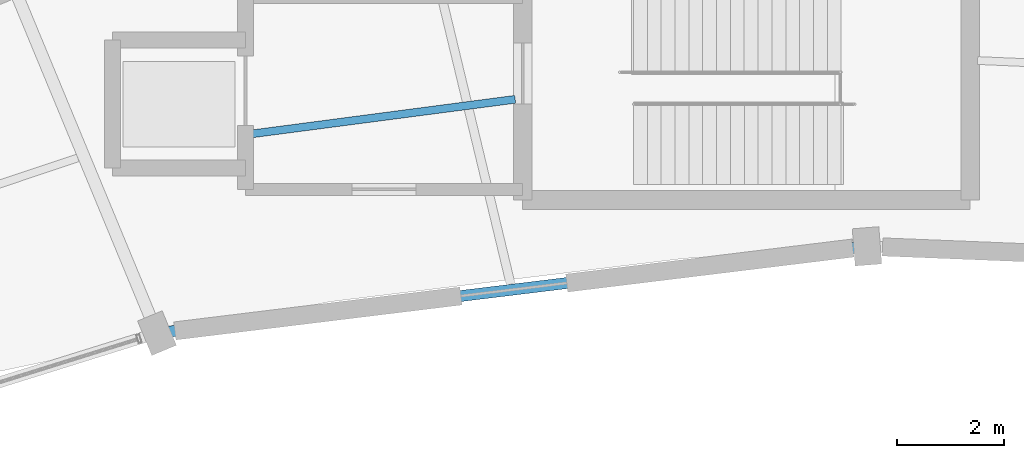
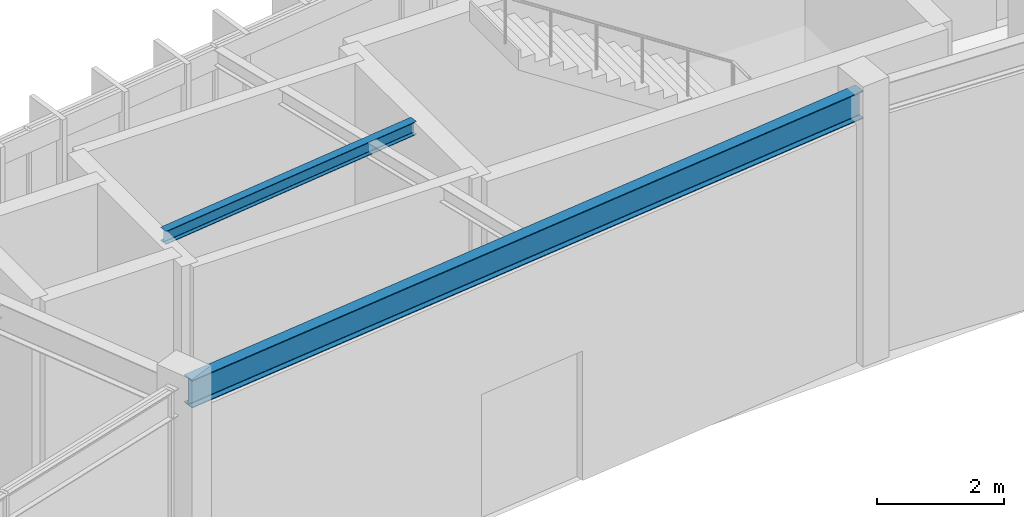
# One storey, part 70 of 157: 2 beams.
"""IFC4 building model written with IfcOpenShell, lengths in metres."""

import ifcopenshell
import ifcopenshell.guid

model = None  # the IFC model being written
_history = None  # IfcOwnerHistory: only IFC2X3 demands one
_inside = {}  # id of a spatial element -> (the spatial element, [elements in it])
_under = {}  # id of a project, library or spatial element -> (it, [spatial elements below it])
_declared = {}  # id of a project -> (the project, [libraries it declares])
_typed = {}  # id of a type object -> (the type object, [elements of that type])
_made_of = {}  # id of a material, layer set ... -> (it, [elements and type objects made of it])


def new_model(schema):
    """Start an empty IFC model of exactly this schema.

    Asked for "IFC4X3", IfcOpenShell would pick the latest addendum, in which some entities
    have other attributes; the version numbers below select the first issue.
    IFC2X3 requires an IfcOwnerHistory on every rooted entity: one is made here for all.
    """
    global model, _history
    if schema == "IFC4X3":
        model = ifcopenshell.file(schema_version=(4, 3, 0, 0))
    else:
        model = ifcopenshell.file(schema=schema)
    _inside.clear()
    _under.clear()
    _declared.clear()
    _typed.clear()
    _made_of.clear()
    _history = None
    if model.schema == "IFC2X3":
        org = make("IfcOrganization", Name="unknown")
        user = make(
            "IfcPersonAndOrganization",
            ThePerson=make("IfcPerson", FamilyName="unknown"),
            TheOrganization=org,
        )
        app = make(
            "IfcApplication",
            ApplicationDeveloper=org,
            Version="unknown",
            ApplicationFullName="unknown",
            ApplicationIdentifier="unknown",
        )
        _history = make(
            "IfcOwnerHistory",
            OwningUser=user,
            OwningApplication=app,
            ChangeAction="ADDED",
            CreationDate=0,
        )
    return model


def make(cls, **values):
    """One entity of the class cls with the attributes given. An attribute that is None is left unset."""
    return model.create_entity(
        cls, **{name: value for name, value in values.items() if value is not None}
    )


def rooted(cls, **values):
    """An entity with a GlobalId (a new one), such as an element, a storey or a relation."""
    return make(cls, GlobalId=ifcopenshell.guid.new(), OwnerHistory=_history, **values)


def si_unit(unit_type, name, prefix=None):
    """IfcSIUnit, for example si_unit("LENGTHUNIT", "METRE", prefix="MILLI")."""
    return make("IfcSIUnit", UnitType=unit_type, Prefix=prefix, Name=name)


def assignment(units):
    """IfcUnitAssignment: the units of a project."""
    return None if units is None else make("IfcUnitAssignment", Units=units)


def point(xyz):
    """IfcCartesianPoint."""
    return None if xyz is None else make("IfcCartesianPoint", Coordinates=xyz)


def direction(xyz):
    """IfcDirection."""
    return None if xyz is None else make("IfcDirection", DirectionRatios=xyz)


def frame(location, z_axis=None, x_axis=None):
    """IfcAxis2Placement3D, a coordinate frame: its origin and axes. An axis left out is left unset."""
    return make(
        "IfcAxis2Placement3D",
        Location=point(location),
        Axis=direction(z_axis),
        RefDirection=direction(x_axis),
    )


def frame_2d(location, x_axis=None):
    """IfcAxis2Placement2D, a coordinate frame in the plane: its origin and x axis."""
    return make(
        "IfcAxis2Placement2D", Location=point(location), RefDirection=direction(x_axis)
    )


def origin():
    """The frame at (0, 0, 0) with its axes left unset."""
    return frame((0.0, 0.0, 0.0))


def origin_2d():
    """The frame at (0, 0) in the plane with its x axis left unset."""
    return frame_2d((0.0, 0.0))


def place(relative_to, where):
    """IfcLocalPlacement: puts the frame where relative to a parent placement (None: the world)."""
    return make(
        "IfcLocalPlacement", PlacementRelTo=relative_to, RelativePlacement=where
    )


def context(
    kind, dimensions, precision=None, world=None, true_north=None, identifier=None
):
    """IfcGeometricRepresentationContext, for example the 3D "Model" context."""
    return make(
        "IfcGeometricRepresentationContext",
        ContextIdentifier=identifier,
        ContextType=kind,
        CoordinateSpaceDimension=dimensions,
        Precision=precision,
        WorldCoordinateSystem=world,
        TrueNorth=true_north,
    )


def subcontext(parent, identifier, kind, view, scale=None):
    """IfcGeometricRepresentationSubContext, for example "Body" below "Model"."""
    return make(
        "IfcGeometricRepresentationSubContext",
        ContextIdentifier=identifier,
        ContextType=kind,
        ParentContext=parent,
        TargetScale=scale,
        TargetView=view,
    )


def project(units=None, contexts=None):
    """IfcProject with its units and contexts."""
    return rooted(
        "IfcProject",
        Name="project",
        RepresentationContexts=contexts,
        UnitsInContext=assignment(units),
    )


def spatial(cls, under=None, at=None, **own):
    """A site, building, storey or space (cls), placed at a placement, below another one or the project."""
    s = rooted(cls, ObjectPlacement=at, **own)
    if under is not None:
        _under.setdefault(under.id(), (under, []))[1].append(s)
    return s


def profile(cls, at=None, kind="AREA", **sizes):
    """A parametric profile (cls). Its sizes go by their IFC names, for example OverallWidth=200.0."""
    return make(cls, ProfileType=kind, Position=at, **sizes)


def i_section(**sizes):
    """IfcIShapeProfileDef."""
    return profile("IfcIShapeProfileDef", **sizes)


def extrude(swept, where, along, depth):
    """IfcExtrudedAreaSolid: the profile swept, set in the frame where, extruded along a direction by depth."""
    return make(
        "IfcExtrudedAreaSolid",
        SweptArea=swept,
        Position=where,
        ExtrudedDirection=direction(along),
        Depth=depth,
    )


def shape(context_of_items, identifier, shape_type, items):
    """IfcShapeRepresentation: the items that make up one representation, for example the "Body"."""
    return make(
        "IfcShapeRepresentation",
        ContextOfItems=context_of_items,
        RepresentationIdentifier=identifier,
        RepresentationType=shape_type,
        Items=items,
    )


def material(Name=None, Category=None):
    """IfcMaterial."""
    return make("IfcMaterial", Name=Name, Category=Category)


def material_profile(
    of_material, cross_section, Name=None, Category=None, Priority=None
):
    """IfcMaterialProfile: a cross section and its material."""
    return make(
        "IfcMaterialProfile",
        Name=Name,
        Material=of_material,
        Profile=cross_section,
        Priority=Priority,
        Category=Category,
    )


def profile_set(profiles, Name=None, composite=None):
    """IfcMaterialProfileSet."""
    return make(
        "IfcMaterialProfileSet",
        Name=Name,
        MaterialProfiles=profiles,
        CompositeProfile=composite,
    )


def made_of(thing, what):
    """Note that an element or type object is made of a material, layer set ...; save() writes the relation."""
    if what is not None:
        _made_of.setdefault(what.id(), (what, []))[1].append(thing)
    return thing


def type_object(cls, material=None, **own):
    """A type object (cls), such as IfcWallType, which elements share."""
    return made_of(rooted(cls, **own), material)


def element(
    cls,
    number,
    at=None,
    inside=None,
    cuts=None,
    type_object=None,
    material=None,
    context=None,
    identifier="Body",
    shape_type=None,
    held_by="IfcProductDefinitionShape",
    body=None,
    shapes=None,
    **own,
):
    """One element of the class cls, such as IfcWall. Its Tag is "e" and its number.

    at: its placement. inside: the storey or other place that contains it. cuts: it is an
    opening in that element (IfcRelVoidsElement). A single representation is given by context,
    identifier, shape_type and body (its items); several are given by shapes. held_by: the class
    of the entity that holds the representations. save() writes the other relations.
    """
    e = rooted(cls, Tag="e%d" % number, ObjectPlacement=at, **own)
    if body is not None:
        shapes = [shape(context, identifier, shape_type, body)]
    if shapes is not None:
        e.Representation = make(held_by, Representations=shapes)
    if inside is not None:
        _inside.setdefault(inside.id(), (inside, []))[1].append(e)
    if cuts is not None:
        rooted(
            "IfcRelVoidsElement", RelatingBuildingElement=cuts, RelatedOpeningElement=e
        )
    if type_object is not None:
        _typed.setdefault(type_object.id(), (type_object, []))[1].append(e)
    return made_of(e, material)


def aggregate(whole, parts):
    """IfcRelAggregates: a whole, such as a stair, and the parts it consists of."""
    return rooted("IfcRelAggregates", RelatingObject=whole, RelatedObjects=parts)


def save(model, path):
    """Write the relations noted so far, then the file.

    IfcRelAggregates (storeys below a building ...), IfcRelContainedInSpatialStructure (elements
    in a storey), IfcRelDefinesByType, IfcRelAssociatesMaterial and IfcRelDeclares: one each for
    every whole, place, type object, material and project.
    """
    for whole, parts in _under.values():
        aggregate(whole, parts)
    for where, things in _inside.values():
        rooted(
            "IfcRelContainedInSpatialStructure",
            RelatedElements=things,
            RelatingStructure=where,
        )
    for kind, things in _typed.values():
        rooted("IfcRelDefinesByType", RelatedObjects=things, RelatingType=kind)
    for what, things in _made_of.values():
        rooted("IfcRelAssociatesMaterial", RelatedObjects=things, RelatingMaterial=what)
    for by, libraries in _declared.values():
        rooted("IfcRelDeclares", RelatingContext=by, RelatedDefinitions=libraries)
    model.write(path)


model = new_model("IFC4")

# Units and contexts
model_context = context("Model", 3, precision=1e-05, world=origin(), true_north=direction((0.0, 1.0)))
body_context = subcontext(model_context, "Body", "Model", "MODEL_VIEW")
ifc_project = project(units=[si_unit("LENGTHUNIT", "METRE"), si_unit("AREAUNIT", "SQUARE_METRE"), si_unit("VOLUMEUNIT", "CUBIC_METRE"), si_unit("PLANEANGLEUNIT", "RADIAN"), si_unit("MASSUNIT", "GRAM", prefix="KILO"), si_unit("THERMODYNAMICTEMPERATUREUNIT", "KELVIN"), si_unit("POWERUNIT", "WATT")], contexts=[model_context])

# Site, building, storey
site_placement = place(None, origin())
site = spatial("IfcSite", under=ifc_project, at=site_placement, CompositionType="ELEMENT")
building_placement = place(site_placement, origin())
building = spatial("IfcBuilding", under=site, at=building_placement, Name="Darbajah Civic Hall", CompositionType="ELEMENT")
storey_placement = place(building_placement, origin())
storey = spatial("IfcBuildingStorey", under=building, at=storey_placement, Name="L00", CompositionType="ELEMENT", Elevation=0.0)

# Beams
ifc_material = material(Name="Steel S355JR", Category="steel")
ifc_material_profile_1 = material_profile(ifc_material, i_section(OverallWidth=0.146484375, OverallDepth=0.256103515625, WebThickness=0.00634765625, FlangeThickness=0.010986328125, FilletRadius=0.007568359375, at=origin_2d()), Name="UB 254x146x37")
ifc_profile_set_1 = profile_set([ifc_material_profile_1], Name="Steel S355JR")
beam_type_1 = type_object("IfcBeamType", Name="UB 254x146x37", PredefinedType="JOIST", material=ifc_profile_set_1)
beam_1_placement = place(storey_placement, frame((79.06005859375, 114.791015625, 4.991943359375), z_axis=(-0.991500932095, -0.130099583607, 0.0), x_axis=(0.130099583607, -0.991500932095, 0.0)))
element("IfcBeam", 1, at=beam_1_placement, inside=storey, type_object=beam_type_1, Name="L00 beam SJ-254", PredefinedType="JOIST", context=body_context, shape_type="SweptSolid", body=[
    extrude(i_section(OverallWidth=0.146484375, OverallDepth=0.256103515625, WebThickness=0.00634765625, FlangeThickness=0.010986328125, FilletRadius=0.007568359375, at=origin_2d()), origin(), (0.0, 0.0, 1.0), 4.982177734375),
])
ifc_material_profile_2 = material_profile(ifc_material, i_section(OverallWidth=0.209228515625, OverallDepth=0.533203125, WebThickness=0.010009765625, FlangeThickness=0.015625, FilletRadius=0.0126953125, at=origin_2d()), Name="UB 533x210x92")
ifc_profile_set_2 = profile_set([ifc_material_profile_2], Name="Steel S355JR")
beam_type_2 = type_object("IfcBeamType", Name="UB 533x210x92", PredefinedType="BEAM", material=ifc_profile_set_2)
beam_2_placement = place(storey_placement, frame((85.583984375, 112.021484375, 4.853515625), z_axis=(-0.992611744559, -0.121333938216, 0.0), x_axis=(0.121333938216, -0.992611744559, 0.0)))
element("IfcBeam", 2, at=beam_2_placement, inside=storey, type_object=beam_type_2, Name="L00 beam SB-533", PredefinedType="BEAM", context=body_context, shape_type="SweptSolid", body=[
    extrude(i_section(OverallWidth=0.209228515625, OverallDepth=0.533203125, WebThickness=0.010009765625, FlangeThickness=0.015625, FilletRadius=0.0126953125, at=origin_2d()), origin(), (0.0, 0.0, 1.0), 13.263916015625),
])

save(model, "model.ifc")
